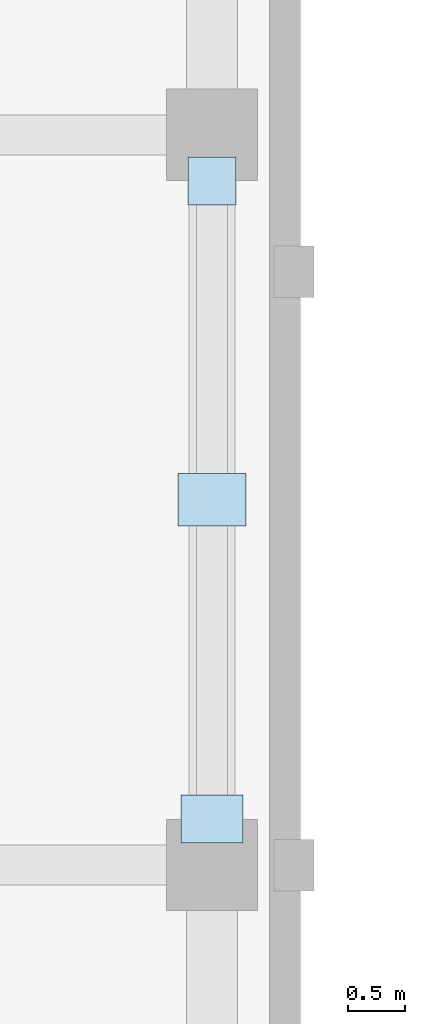
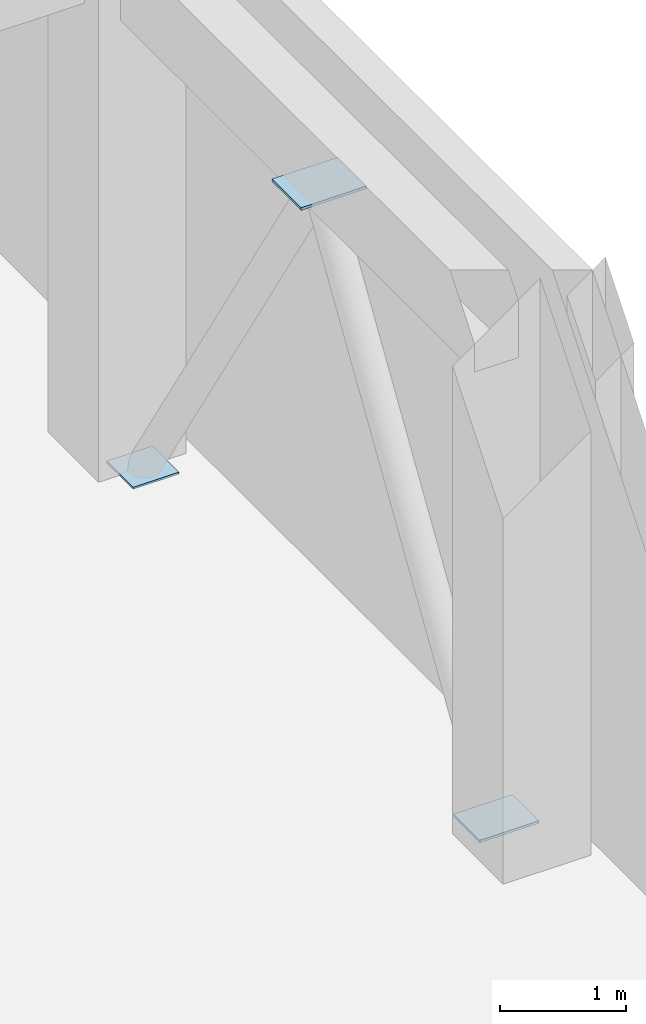
# One storey, part 27 of 46: 3 plates.
"""IFC4 building model written with IfcOpenShell, lengths in metres."""

from ifc_helpers import new_model, si_unit, direction, frame, origin, origin_2d, place, context, subcontext, project, spatial, rectangle, extrude, material, layer, layer_set, type_object, element, save


model = new_model("IFC4")

# Units and contexts
model_context = context("Model", 3, precision=1e-05, world=origin(), true_north=direction((0.0, 1.0)))
body_context = subcontext(model_context, "Body", "Model", "MODEL_VIEW")
ifc_project = project(units=[si_unit("LENGTHUNIT", "METRE"), si_unit("AREAUNIT", "SQUARE_METRE"), si_unit("VOLUMEUNIT", "CUBIC_METRE"), si_unit("PLANEANGLEUNIT", "RADIAN"), si_unit("MASSUNIT", "GRAM", prefix="KILO")], contexts=[model_context])

# Site, building, storey
site_placement = place(None, origin())
site = spatial("IfcSite", under=ifc_project, at=site_placement, CompositionType="ELEMENT")
building_placement = place(site_placement, origin())
building = spatial("IfcBuilding", under=site, at=building_placement, Name="Cinchona Park Media Centre", CompositionType="ELEMENT")
storey_placement = place(building_placement, origin())
storey = spatial("IfcBuildingStorey", under=building, at=storey_placement, Name="L00", CompositionType="ELEMENT", Elevation=0.0)

# Plates
ifc_material_1 = material(Name="Steel S355", Category="steel")
ifc_layer_1 = layer(ifc_material_1, 0.02001953125)
ifc_layer_set_1 = layer_set([ifc_layer_1], Name="Steel S355")
plate_type_1 = type_object("IfcPlateType", Name="PLATE-GP01", PredefinedType="USERDEFINED", material=ifc_layer_set_1)
plate_1_placement = place(storey_placement, frame((171.360107421875, 93.594970703125, -0.005126953125), z_axis=(0.0, 0.0, 1.0), x_axis=(1.0, 0.0, 0.0)))
element("IfcPlate", 1, at=plate_1_placement, inside=storey, type_object=plate_type_1, Name="Truss Node Gusset Plate TN2", ObjectType="GUSSET PLATE", PredefinedType="USERDEFINED", context=body_context, shape_type="SweptSolid", body=[
    extrude(rectangle(XDim=0.419921875, YDim=0.419921875, at=origin_2d()), origin(), (0.0, 0.0, 1.0), 0.02001953125),
])
ifc_material_2 = material(Name="Steel S355", Category="steel")
ifc_layer_2 = layer(ifc_material_2, 0.02392578125)
ifc_layer_set_2 = layer_set([ifc_layer_2], Name="Steel S355")
plate_type_2 = type_object("IfcPlateType", Name="PLATE-GP03", PredefinedType="USERDEFINED", material=ifc_layer_set_2)
plate_2_placement = place(storey_placement, frame((171.360107421875, 88.0048828125, -0.007080078125), z_axis=(0.0, 0.0, 1.0), x_axis=(1.0, 0.0, 0.0)))
element("IfcPlate", 2, at=plate_2_placement, inside=storey, type_object=plate_type_2, Name="Truss Node Gusset Plate TN2", ObjectType="GUSSET PLATE", PredefinedType="USERDEFINED", context=body_context, shape_type="SweptSolid", body=[
    extrude(rectangle(XDim=0.5400390625, YDim=0.419921875, at=origin_2d()), origin(), (0.0, 0.0, 1.0), 0.02392578125),
])
ifc_material_3 = material(Name="Steel S355", Category="steel")
ifc_layer_3 = layer(ifc_material_3, 0.02587890625)
ifc_layer_set_3 = layer_set([ifc_layer_3], Name="Steel S355")
plate_type_3 = type_object("IfcPlateType", Name="PLATE-GP04", PredefinedType="USERDEFINED", material=ifc_layer_set_3)
plate_3_placement = place(storey_placement, frame((171.360107421875, 90.800048828125, 4.427001953125), z_axis=(0.0, 0.0, 1.0), x_axis=(1.0, 0.0, 0.0)))
element("IfcPlate", 3, at=plate_3_placement, inside=storey, type_object=plate_type_3, Name="Truss Node Gusset Plate TN2", ObjectType="GUSSET PLATE", PredefinedType="USERDEFINED", context=body_context, shape_type="SweptSolid", body=[
    extrude(rectangle(XDim=0.60009765625, YDim=0.4599609375, at=origin_2d()), origin(), (0.0, 0.0, 1.0), 0.02587890625),
])

save(model, "model.ifc")
